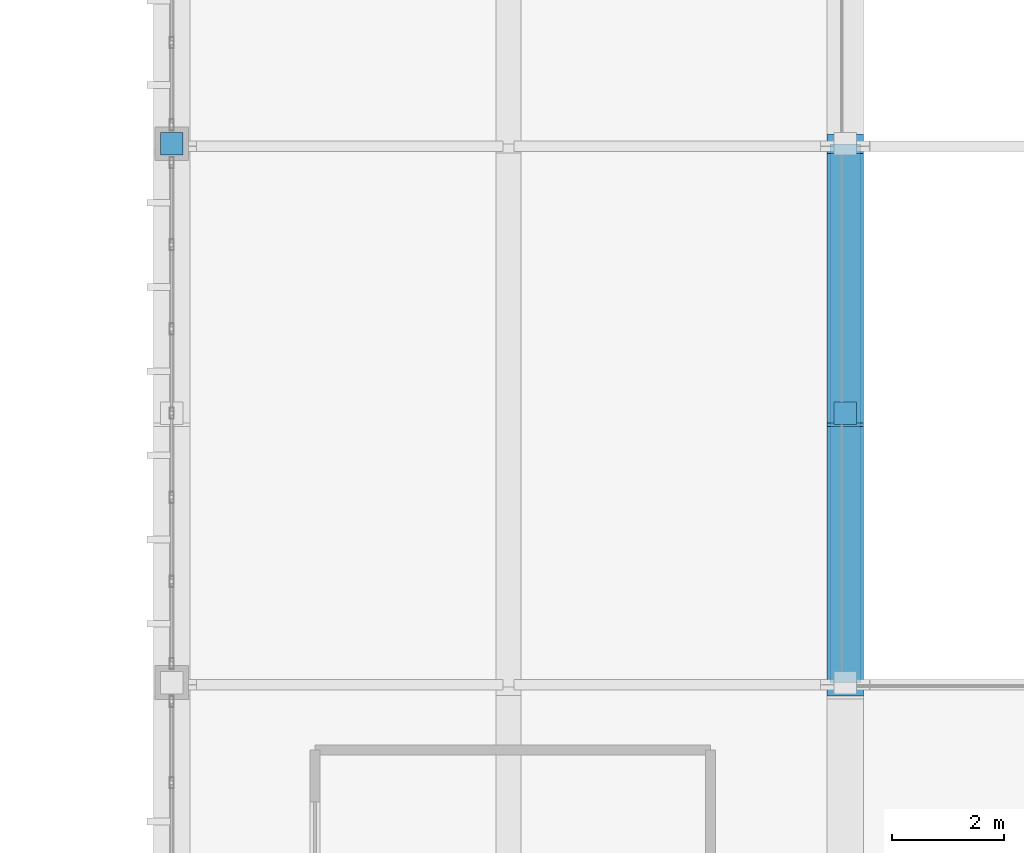
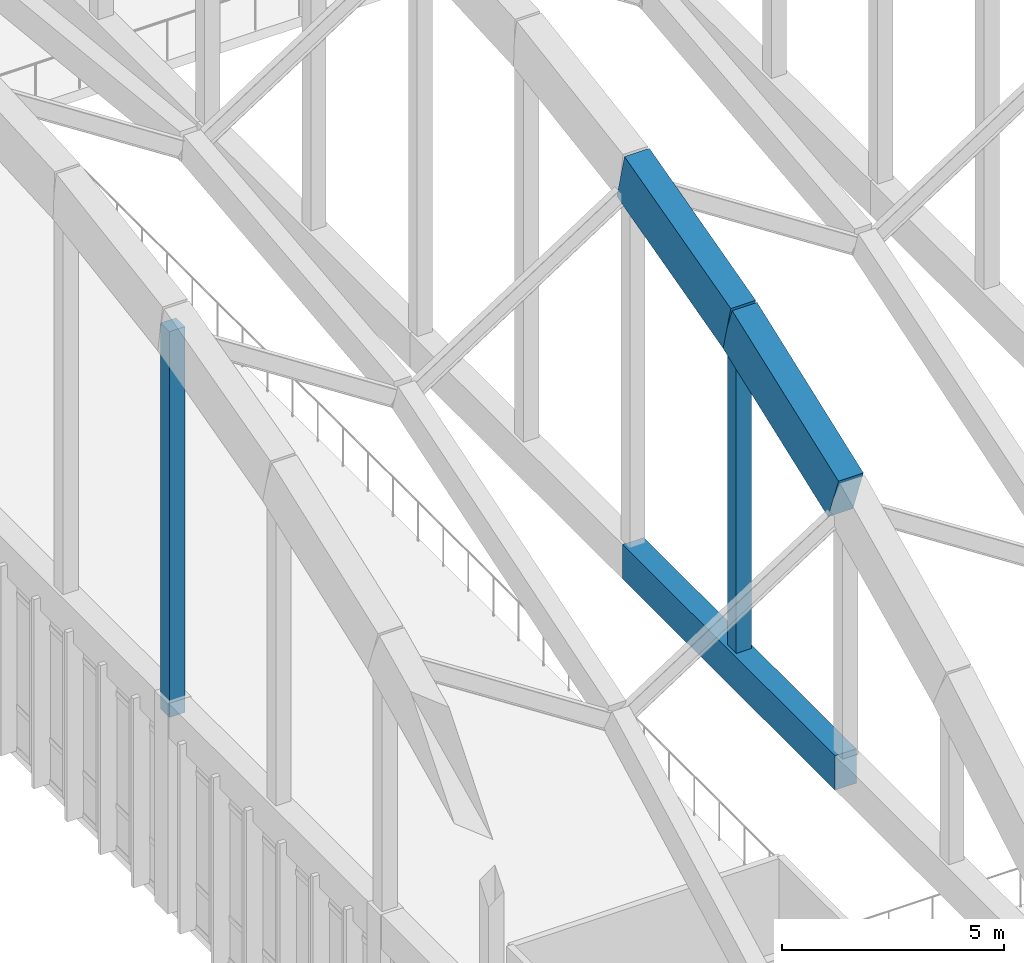
# One storey, part 37 of 236: 4 members, 1 beam.
"""IFC4 building model written with IfcOpenShell, lengths in metres."""

from ifc_helpers import new_model, si_unit, direction, frame, origin, origin_2d, place, context, subcontext, project, spatial, rectangle, extrude, material, material_profile, profile_set, type_object, element, save


model = new_model("IFC4")

# Units and contexts
model_context = context("Model", 3, precision=1e-05, world=origin(), true_north=direction((0.0, 1.0)))
body_context = subcontext(model_context, "Body", "Model", "MODEL_VIEW")
ifc_project = project(units=[si_unit("LENGTHUNIT", "METRE"), si_unit("AREAUNIT", "SQUARE_METRE"), si_unit("VOLUMEUNIT", "CUBIC_METRE"), si_unit("PLANEANGLEUNIT", "RADIAN"), si_unit("MASSUNIT", "GRAM", prefix="KILO")], contexts=[model_context])

# Site, building, storey
site_placement = place(None, origin())
site = spatial("IfcSite", under=ifc_project, at=site_placement, CompositionType="ELEMENT")
building_placement = place(site_placement, origin())
building = spatial("IfcBuilding", under=site, at=building_placement, Name="Pandanus Reach Market Hall", CompositionType="ELEMENT")
storey_placement = place(building_placement, frame((0.0, 0.0, 5.39990234375)))
storey = spatial("IfcBuildingStorey", under=building, at=storey_placement, Name="L01", CompositionType="ELEMENT", Elevation=5.39990234375)

# Members
ifc_material = material(Name="Concrete N50 (50 MPa)", Category="concrete")
ifc_material_profile_1 = material_profile(ifc_material, rectangle(XDim=0.64990234375, YDim=1.35009765625, at=origin_2d()), Name="RC650x1350", Category="LoadBearing")
ifc_profile_set_1 = profile_set([ifc_material_profile_1], Name="Concrete N50 (50 MPa)")
member_type_1 = type_object("IfcMemberType", Name="AR-RC650-E", PredefinedType="CHORD", material=ifc_profile_set_1)
member_1_placement = place(storey_placement, frame((60.0, 38.39990234375, 12.89111328125), z_axis=(0.0, 0.937030438748, 0.349247701294), x_axis=(-1.0, 0.0, 0.0)))
element("IfcMember", 1, at=member_1_placement, inside=storey, type_object=member_type_1, Name="Parabolic arch top chord A2.3", PredefinedType="CHORD", context=body_context, shape_type="SweptSolid", body=[
    extrude(rectangle(XDim=0.64990234375, YDim=1.35009765625, at=origin_2d()), origin(), (0.0, 0.0, 1.0), 5.12255859375),
])
member_2_placement = place(storey_placement, frame((60.0, 43.199951171875, 14.68017578125), z_axis=(0.0, 0.966344166189, 0.257252701584), x_axis=(-1.0, 0.0, 0.0)))
element("IfcMember", 2, at=member_2_placement, inside=storey, type_object=member_type_1, Name="Parabolic arch top chord A2.4", PredefinedType="CHORD", context=body_context, shape_type="SweptSolid", body=[
    extrude(rectangle(XDim=0.64990234375, YDim=1.35009765625, at=origin_2d()), origin(), (0.0, 0.0, 1.0), 4.96728515625),
])
ifc_material_profile_2 = material_profile(ifc_material, rectangle(XDim=0.39990234375, YDim=0.39990234375, at=origin_2d()), Name="RC400x400", Category="LoadBearing")
ifc_profile_set_2 = profile_set([ifc_material_profile_2], Name="Concrete N50 (50 MPa)")
member_type_2 = type_object("IfcMemberType", Name="AR-WEB400-E", PredefinedType="STRUT", material=ifc_profile_set_2)
member_3_placement = place(storey_placement, frame((48.0, 48.0, 5.3251953125), z_axis=(0.0, 0.0, 1.0), x_axis=(1.0, 0.0, 0.0)))
element("IfcMember", 3, at=member_3_placement, inside=storey, type_object=member_type_2, Name="Arch truss vertical web strut A1.4", PredefinedType="STRUT", context=body_context, shape_type="SweptSolid", body=[
    extrude(rectangle(XDim=0.39990234375, YDim=0.39990234375, at=origin_2d()), origin(), (0.0, 0.0, 1.0), 10.6328125),
])
member_4_placement = place(storey_placement, frame((60.0, 43.199951171875, 5.3251953125), z_axis=(0.0, 0.0, 1.0), x_axis=(1.0, 0.0, 0.0)))
element("IfcMember", 4, at=member_4_placement, inside=storey, type_object=member_type_2, Name="Arch truss vertical web strut A2.3", PredefinedType="STRUT", context=body_context, shape_type="SweptSolid", body=[
    extrude(rectangle(XDim=0.39990234375, YDim=0.39990234375, at=origin_2d()), origin(), (0.0, 0.0, 1.0), 9.35498046875),
])

# Beam
ifc_material_profile_3 = material_profile(ifc_material, rectangle(XDim=0.550048828125, YDim=0.949951171875, at=origin_2d()), Name="RC550x950", Category="LoadBearing")
ifc_profile_set_3 = profile_set([ifc_material_profile_3], Name="Concrete N50 (50 MPa)")
beam_type = type_object("IfcBeamType", Name="BM-RC550-I", PredefinedType="BEAM", material=ifc_profile_set_3)
beam_placement = place(storey_placement, frame((60.0, 38.39990234375, 5.3251953125), z_axis=(0.0, 1.0, 0.0), x_axis=(-1.0, 0.0, 0.0)))
element("IfcBeam", 5, at=beam_placement, inside=storey, type_object=beam_type, Name="Parabolic arch tie girder A2.2", PredefinedType="BEAM", context=body_context, shape_type="SweptSolid", body=[
    extrude(rectangle(XDim=0.550048828125, YDim=0.949951171875, at=origin_2d()), origin(), (0.0, 0.0, 1.0), 9.60009765625),
])

save(model, "model.ifc")
